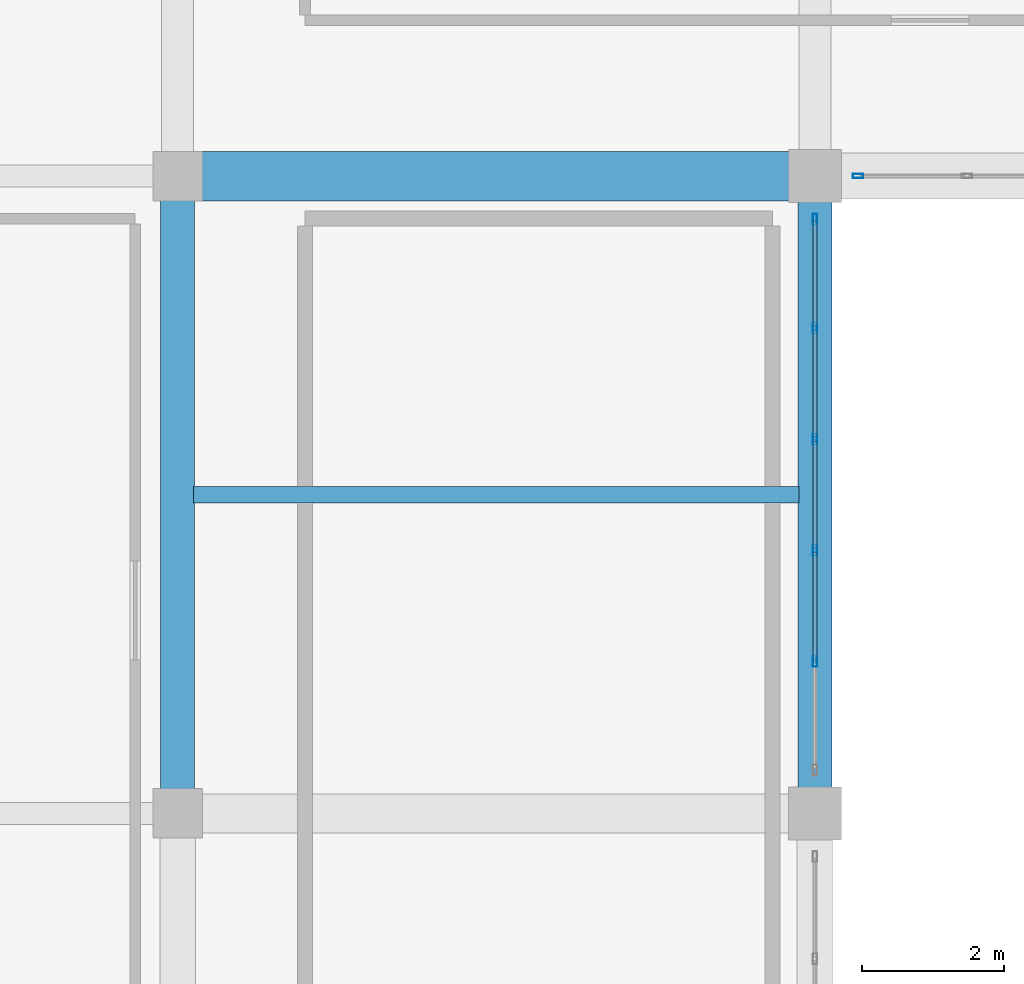
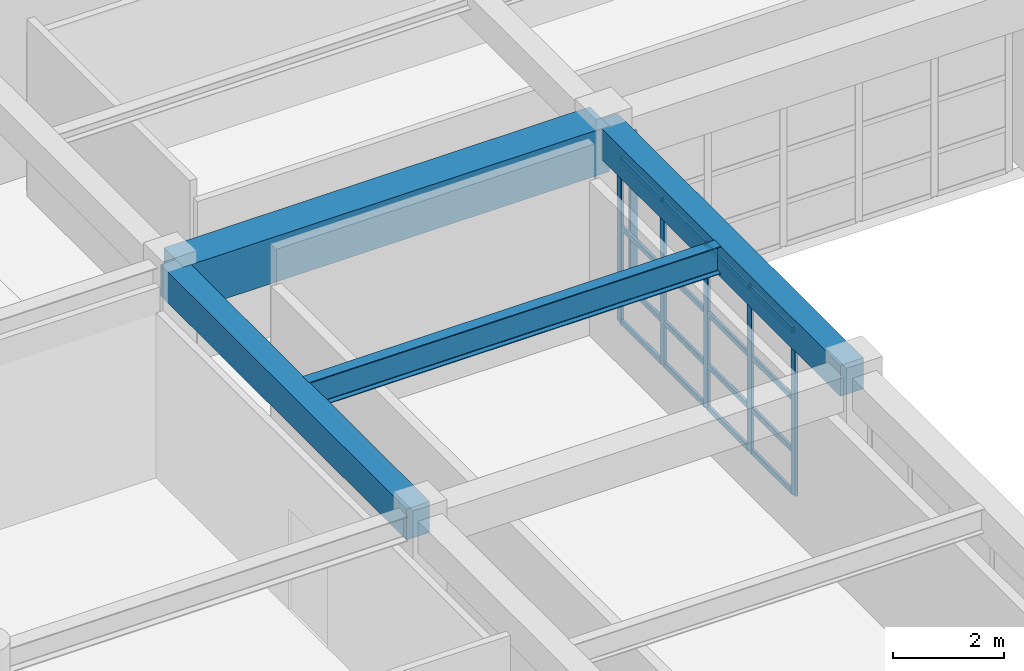
# One storey, part 64 of 133: 22 members, 4 beams, 2 elements without a shape of their own.
"""IFC4 building model written with IfcOpenShell, lengths in metres."""

from ifc_helpers import new_model, si_unit, direction, frame, origin, origin_2d, place, context, subcontext, project, spatial, rectangle, hollow_rectangle, i_section, extrude, material, material_profile, profile_set, type_object, element, aggregate, save


model = new_model("IFC4")

# Units and contexts
model_context = context("Model", 3, precision=1e-05, world=origin(), true_north=direction((0.0, 1.0)))
body_context = subcontext(model_context, "Body", "Model", "MODEL_VIEW")
ifc_project = project(units=[si_unit("LENGTHUNIT", "METRE"), si_unit("AREAUNIT", "SQUARE_METRE"), si_unit("VOLUMEUNIT", "CUBIC_METRE"), si_unit("PLANEANGLEUNIT", "RADIAN"), si_unit("MASSUNIT", "GRAM", prefix="KILO")], contexts=[model_context])

# Site, building, storey
site_placement = place(None, origin())
site = spatial("IfcSite", under=ifc_project, at=site_placement, CompositionType="ELEMENT")
building_placement = place(site_placement, origin())
building = spatial("IfcBuilding", under=site, at=building_placement, Name="Miravela Opera House", CompositionType="ELEMENT")
storey_placement = place(building_placement, frame((0.0, 0.0, 5.10009765625)))
storey = spatial("IfcBuildingStorey", under=building, at=storey_placement, Name="L01", CompositionType="ELEMENT", Elevation=5.10009765625)

# Curtain wall, member
ifc_material_1 = material(Name="Anodised architectural bronze aluminium 6063-T6", Category="aluminium")
curtain_wall_type = type_object("IfcCurtainWallType", Name="ARC-CW-05", PredefinedType="NOTDEFINED", material=ifc_material_1)
curtain_wall_1_placement = place(storey_placement, origin())
curtain_wall_1 = element("IfcCurtainWall", 1, at=curtain_wall_1_placement, inside=storey, type_object=curtain_wall_type, Name="Courtyard Arcade Curtain Wall CW-L01-078", PredefinedType="NOTDEFINED")
ifc_material_profile_1 = material_profile(ifc_material_1, hollow_rectangle(XDim=0.06005859375, YDim=0.14990234375, WallThickness=0.00390625, InnerFilletRadius=0.001953125, OuterFilletRadius=0.00390625, at=origin_2d()), Name="CWM-60X150")
ifc_profile_set_1 = profile_set([ifc_material_profile_1])
member_type_1 = type_object("IfcMemberType", Name="ARC-CWM-150", PredefinedType="MULLION", material=ifc_profile_set_1)
member_1_placement = place(storey_placement, frame((27.610107421875, 103.0, 0.0), z_axis=(0.0, 0.0, 1.0), x_axis=(0.0, 1.0, 0.0)))
member_1 = element("IfcMember", 2, at=member_1_placement, type_object=member_type_1, Name="CW-05 mullion 1", PredefinedType="MULLION", context=body_context, shape_type="SweptSolid", body=[
    extrude(hollow_rectangle(XDim=0.06005859375, YDim=0.14990234375, WallThickness=0.00390625, InnerFilletRadius=0.001953125, OuterFilletRadius=0.00390625, at=origin_2d()), origin(), (0.0, 0.0, 1.0), 3.60986328125),
])
aggregate(curtain_wall_1, [member_1])

# Curtain wall, members
curtain_wall_2_placement = place(storey_placement, origin())
curtain_wall_2 = element("IfcCurtainWall", 3, at=curtain_wall_2_placement, inside=storey, type_object=curtain_wall_type, Name="Courtyard Arcade Curtain Wall CW-L01-086", PredefinedType="NOTDEFINED")
member_2_placement = place(storey_placement, frame((27.0, 96.14794921875, 0.0), z_axis=(0.0, 0.0, 1.0), x_axis=(-1.0, 0.0, 0.0)))
member_2 = element("IfcMember", 4, at=member_2_placement, type_object=member_type_1, Name="CW-05 mullion 2", PredefinedType="MULLION", context=body_context, shape_type="SweptSolid", body=[
    extrude(hollow_rectangle(XDim=0.06005859375, YDim=0.14990234375, WallThickness=0.00390625, InnerFilletRadius=0.001953125, OuterFilletRadius=0.00390625, at=origin_2d()), origin(), (0.0, 0.0, 1.0), 3.60986328125),
])
member_3_placement = place(storey_placement, frame((27.0, 97.716064453125, 0.0), z_axis=(0.0, 0.0, 1.0), x_axis=(-1.0, 0.0, 0.0)))
member_3 = element("IfcMember", 5, at=member_3_placement, type_object=member_type_1, Name="CW-05 mullion 3", PredefinedType="MULLION", context=body_context, shape_type="SweptSolid", body=[
    extrude(hollow_rectangle(XDim=0.06005859375, YDim=0.14990234375, WallThickness=0.00390625, InnerFilletRadius=0.001953125, OuterFilletRadius=0.00390625, at=origin_2d()), origin(), (0.0, 0.0, 1.0), 3.60986328125),
])
member_4_placement = place(storey_placement, frame((27.0, 99.283935546875, 0.0), z_axis=(0.0, 0.0, 1.0), x_axis=(-1.0, 0.0, 0.0)))
member_4 = element("IfcMember", 6, at=member_4_placement, type_object=member_type_1, Name="CW-05 mullion 4", PredefinedType="MULLION", context=body_context, shape_type="SweptSolid", body=[
    extrude(hollow_rectangle(XDim=0.06005859375, YDim=0.14990234375, WallThickness=0.00390625, InnerFilletRadius=0.001953125, OuterFilletRadius=0.00390625, at=origin_2d()), origin(), (0.0, 0.0, 1.0), 3.60986328125),
])
member_5_placement = place(storey_placement, frame((27.0, 100.85205078125, 0.0), z_axis=(0.0, 0.0, 1.0), x_axis=(-1.0, 0.0, 0.0)))
member_5 = element("IfcMember", 7, at=member_5_placement, type_object=member_type_1, Name="CW-05 mullion 5", PredefinedType="MULLION", context=body_context, shape_type="SweptSolid", body=[
    extrude(hollow_rectangle(XDim=0.06005859375, YDim=0.14990234375, WallThickness=0.00390625, InnerFilletRadius=0.001953125, OuterFilletRadius=0.00390625, at=origin_2d()), origin(), (0.0, 0.0, 1.0), 3.60986328125),
])
member_6_placement = place(storey_placement, frame((27.0, 102.389892578125, 0.0), z_axis=(0.0, 0.0, 1.0), x_axis=(-1.0, 0.0, 0.0)))
member_6 = element("IfcMember", 8, at=member_6_placement, type_object=member_type_1, Name="CW-05 mullion 6", PredefinedType="MULLION", context=body_context, shape_type="SweptSolid", body=[
    extrude(hollow_rectangle(XDim=0.06005859375, YDim=0.14990234375, WallThickness=0.00390625, InnerFilletRadius=0.001953125, OuterFilletRadius=0.00390625, at=origin_2d()), origin(), (0.0, 0.0, 1.0), 3.60986328125),
])
ifc_material_profile_2 = material_profile(ifc_material_1, hollow_rectangle(XDim=0.06005859375, YDim=0.114990234375, WallThickness=0.00390625, InnerFilletRadius=0.001953125, OuterFilletRadius=0.00390625, at=origin_2d()), Name="CWT-60X115")
ifc_profile_set_2 = profile_set([ifc_material_profile_2])
member_type_2 = type_object("IfcMemberType", Name="ARC-CWT-115", PredefinedType="USERDEFINED", material=ifc_profile_set_2)
member_7_placement = place(storey_placement, frame((27.0, 96.177978515625, 0.02978515625), z_axis=(0.0, 1.0, 0.0), x_axis=(-1.0, 0.0, 0.0)))
member_7 = element("IfcMember", 9, at=member_7_placement, type_object=member_type_2, Name="CW-05 transom 2.1", ObjectType="TRANSOM", PredefinedType="USERDEFINED", context=body_context, shape_type="SweptSolid", body=[
    extrude(hollow_rectangle(XDim=0.06005859375, YDim=0.114990234375, WallThickness=0.00390625, InnerFilletRadius=0.001953125, OuterFilletRadius=0.00390625, at=origin_2d()), origin(), (0.0, 0.0, 1.0), 1.508056640625),
])
member_8_placement = place(storey_placement, frame((27.0, 96.177978515625, 0.949951171875), z_axis=(0.0, 1.0, 0.0), x_axis=(-1.0, 0.0, 0.0)))
member_8 = element("IfcMember", 10, at=member_8_placement, type_object=member_type_2, Name="CW-05 transom 2.2", ObjectType="TRANSOM", PredefinedType="USERDEFINED", context=body_context, shape_type="SweptSolid", body=[
    extrude(hollow_rectangle(XDim=0.06005859375, YDim=0.114990234375, WallThickness=0.00390625, InnerFilletRadius=0.001953125, OuterFilletRadius=0.00390625, at=origin_2d()), origin(), (0.0, 0.0, 1.0), 1.508056640625),
])
member_9_placement = place(storey_placement, frame((27.0, 96.177978515625, 2.09375), z_axis=(0.0, 1.0, 0.0), x_axis=(-1.0, 0.0, 0.0)))
member_9 = element("IfcMember", 11, at=member_9_placement, type_object=member_type_2, Name="CW-05 transom 2.3", ObjectType="TRANSOM", PredefinedType="USERDEFINED", context=body_context, shape_type="SweptSolid", body=[
    extrude(hollow_rectangle(XDim=0.06005859375, YDim=0.114990234375, WallThickness=0.00390625, InnerFilletRadius=0.001953125, OuterFilletRadius=0.00390625, at=origin_2d()), origin(), (0.0, 0.0, 1.0), 1.508056640625),
])
member_10_placement = place(storey_placement, frame((27.0, 96.177978515625, 3.579833984375), z_axis=(0.0, 1.0, 0.0), x_axis=(-1.0, 0.0, 0.0)))
member_10 = element("IfcMember", 12, at=member_10_placement, type_object=member_type_2, Name="CW-05 transom 2.4", ObjectType="TRANSOM", PredefinedType="USERDEFINED", context=body_context, shape_type="SweptSolid", body=[
    extrude(hollow_rectangle(XDim=0.06005859375, YDim=0.114990234375, WallThickness=0.00390625, InnerFilletRadius=0.001953125, OuterFilletRadius=0.00390625, at=origin_2d()), origin(), (0.0, 0.0, 1.0), 1.508056640625),
])
member_11_placement = place(storey_placement, frame((27.0, 97.74609375, 0.02978515625), z_axis=(0.0, 1.0, 0.0), x_axis=(-1.0, 0.0, 0.0)))
member_11 = element("IfcMember", 13, at=member_11_placement, type_object=member_type_2, Name="CW-05 transom 3.1", ObjectType="TRANSOM", PredefinedType="USERDEFINED", context=body_context, shape_type="SweptSolid", body=[
    extrude(hollow_rectangle(XDim=0.06005859375, YDim=0.114990234375, WallThickness=0.00390625, InnerFilletRadius=0.001953125, OuterFilletRadius=0.00390625, at=origin_2d()), origin(), (0.0, 0.0, 1.0), 1.5078125),
])
member_12_placement = place(storey_placement, frame((27.0, 97.74609375, 0.949951171875), z_axis=(0.0, 1.0, 0.0), x_axis=(-1.0, 0.0, 0.0)))
member_12 = element("IfcMember", 14, at=member_12_placement, type_object=member_type_2, Name="CW-05 transom 3.2", ObjectType="TRANSOM", PredefinedType="USERDEFINED", context=body_context, shape_type="SweptSolid", body=[
    extrude(hollow_rectangle(XDim=0.06005859375, YDim=0.114990234375, WallThickness=0.00390625, InnerFilletRadius=0.001953125, OuterFilletRadius=0.00390625, at=origin_2d()), origin(), (0.0, 0.0, 1.0), 1.5078125),
])
member_13_placement = place(storey_placement, frame((27.0, 97.74609375, 2.09375), z_axis=(0.0, 1.0, 0.0), x_axis=(-1.0, 0.0, 0.0)))
member_13 = element("IfcMember", 15, at=member_13_placement, type_object=member_type_2, Name="CW-05 transom 3.3", ObjectType="TRANSOM", PredefinedType="USERDEFINED", context=body_context, shape_type="SweptSolid", body=[
    extrude(hollow_rectangle(XDim=0.06005859375, YDim=0.114990234375, WallThickness=0.00390625, InnerFilletRadius=0.001953125, OuterFilletRadius=0.00390625, at=origin_2d()), origin(), (0.0, 0.0, 1.0), 1.5078125),
])
member_14_placement = place(storey_placement, frame((27.0, 97.74609375, 3.579833984375), z_axis=(0.0, 1.0, 0.0), x_axis=(-1.0, 0.0, 0.0)))
member_14 = element("IfcMember", 16, at=member_14_placement, type_object=member_type_2, Name="CW-05 transom 3.4", ObjectType="TRANSOM", PredefinedType="USERDEFINED", context=body_context, shape_type="SweptSolid", body=[
    extrude(hollow_rectangle(XDim=0.06005859375, YDim=0.114990234375, WallThickness=0.00390625, InnerFilletRadius=0.001953125, OuterFilletRadius=0.00390625, at=origin_2d()), origin(), (0.0, 0.0, 1.0), 1.5078125),
])
member_15_placement = place(storey_placement, frame((27.0, 99.31396484375, 0.02978515625), z_axis=(0.0, 1.0, 0.0), x_axis=(-1.0, 0.0, 0.0)))
member_15 = element("IfcMember", 17, at=member_15_placement, type_object=member_type_2, Name="CW-05 transom 4.1", ObjectType="TRANSOM", PredefinedType="USERDEFINED", context=body_context, shape_type="SweptSolid", body=[
    extrude(hollow_rectangle(XDim=0.06005859375, YDim=0.114990234375, WallThickness=0.00390625, InnerFilletRadius=0.001953125, OuterFilletRadius=0.00390625, at=origin_2d()), origin(), (0.0, 0.0, 1.0), 1.508056640625),
])
member_16_placement = place(storey_placement, frame((27.0, 99.31396484375, 0.949951171875), z_axis=(0.0, 1.0, 0.0), x_axis=(-1.0, 0.0, 0.0)))
member_16 = element("IfcMember", 18, at=member_16_placement, type_object=member_type_2, Name="CW-05 transom 4.2", ObjectType="TRANSOM", PredefinedType="USERDEFINED", context=body_context, shape_type="SweptSolid", body=[
    extrude(hollow_rectangle(XDim=0.06005859375, YDim=0.114990234375, WallThickness=0.00390625, InnerFilletRadius=0.001953125, OuterFilletRadius=0.00390625, at=origin_2d()), origin(), (0.0, 0.0, 1.0), 1.508056640625),
])
member_17_placement = place(storey_placement, frame((27.0, 99.31396484375, 2.09375), z_axis=(0.0, 1.0, 0.0), x_axis=(-1.0, 0.0, 0.0)))
member_17 = element("IfcMember", 19, at=member_17_placement, type_object=member_type_2, Name="CW-05 transom 4.3", ObjectType="TRANSOM", PredefinedType="USERDEFINED", context=body_context, shape_type="SweptSolid", body=[
    extrude(hollow_rectangle(XDim=0.06005859375, YDim=0.114990234375, WallThickness=0.00390625, InnerFilletRadius=0.001953125, OuterFilletRadius=0.00390625, at=origin_2d()), origin(), (0.0, 0.0, 1.0), 1.508056640625),
])
member_18_placement = place(storey_placement, frame((27.0, 99.31396484375, 3.579833984375), z_axis=(0.0, 1.0, 0.0), x_axis=(-1.0, 0.0, 0.0)))
member_18 = element("IfcMember", 20, at=member_18_placement, type_object=member_type_2, Name="CW-05 transom 4.4", ObjectType="TRANSOM", PredefinedType="USERDEFINED", context=body_context, shape_type="SweptSolid", body=[
    extrude(hollow_rectangle(XDim=0.06005859375, YDim=0.114990234375, WallThickness=0.00390625, InnerFilletRadius=0.001953125, OuterFilletRadius=0.00390625, at=origin_2d()), origin(), (0.0, 0.0, 1.0), 1.508056640625),
])
member_19_placement = place(storey_placement, frame((27.0, 100.882080078125, 0.02978515625), z_axis=(0.0, 1.0, 0.0), x_axis=(-1.0, 0.0, 0.0)))
member_19 = element("IfcMember", 21, at=member_19_placement, type_object=member_type_2, Name="CW-05 transom 5.1", ObjectType="TRANSOM", PredefinedType="USERDEFINED", context=body_context, shape_type="SweptSolid", body=[
    extrude(hollow_rectangle(XDim=0.06005859375, YDim=0.114990234375, WallThickness=0.00390625, InnerFilletRadius=0.001953125, OuterFilletRadius=0.00390625, at=origin_2d()), origin(), (0.0, 0.0, 1.0), 1.47802734375),
])
member_20_placement = place(storey_placement, frame((27.0, 100.882080078125, 0.949951171875), z_axis=(0.0, 1.0, 0.0), x_axis=(-1.0, 0.0, 0.0)))
member_20 = element("IfcMember", 22, at=member_20_placement, type_object=member_type_2, Name="CW-05 transom 5.2", ObjectType="TRANSOM", PredefinedType="USERDEFINED", context=body_context, shape_type="SweptSolid", body=[
    extrude(hollow_rectangle(XDim=0.06005859375, YDim=0.114990234375, WallThickness=0.00390625, InnerFilletRadius=0.001953125, OuterFilletRadius=0.00390625, at=origin_2d()), origin(), (0.0, 0.0, 1.0), 1.47802734375),
])
member_21_placement = place(storey_placement, frame((27.0, 100.882080078125, 2.09375), z_axis=(0.0, 1.0, 0.0), x_axis=(-1.0, 0.0, 0.0)))
member_21 = element("IfcMember", 23, at=member_21_placement, type_object=member_type_2, Name="CW-05 transom 5.3", ObjectType="TRANSOM", PredefinedType="USERDEFINED", context=body_context, shape_type="SweptSolid", body=[
    extrude(hollow_rectangle(XDim=0.06005859375, YDim=0.114990234375, WallThickness=0.00390625, InnerFilletRadius=0.001953125, OuterFilletRadius=0.00390625, at=origin_2d()), origin(), (0.0, 0.0, 1.0), 1.47802734375),
])
member_22_placement = place(storey_placement, frame((27.0, 100.882080078125, 3.579833984375), z_axis=(0.0, 1.0, 0.0), x_axis=(-1.0, 0.0, 0.0)))
member_22 = element("IfcMember", 24, at=member_22_placement, type_object=member_type_2, Name="CW-05 transom 5.4", ObjectType="TRANSOM", PredefinedType="USERDEFINED", context=body_context, shape_type="SweptSolid", body=[
    extrude(hollow_rectangle(XDim=0.06005859375, YDim=0.114990234375, WallThickness=0.00390625, InnerFilletRadius=0.001953125, OuterFilletRadius=0.00390625, at=origin_2d()), origin(), (0.0, 0.0, 1.0), 1.47802734375),
])
aggregate(curtain_wall_2, [member_2, member_3, member_4, member_5, member_6, member_7, member_8, member_9, member_10, member_11, member_12, member_13, member_14, member_15, member_16, member_17, member_18, member_19, member_20, member_21, member_22])

# Beams
ifc_material_2 = material(Name="Concrete C35/45", Category="concrete")
ifc_material_profile_3 = material_profile(ifc_material_2, rectangle(XDim=0.47998046875, YDim=0.679931640625, at=origin_2d()), Name="RC-BM-480X680")
ifc_profile_set_3 = profile_set([ifc_material_profile_3])
beam_type_1 = type_object("IfcBeamType", Name="STR-BM-RC480X680", PredefinedType="BEAM", material=ifc_profile_set_3)
for number, where, z_axis, x_axis, name in (
    (25, (18.0, 94.080078125, 3.81982421875), (0.0, 1.0, 0.0), (-1.0, 0.0, 0.0), "Floor Girder L01 3/K-L"),
    (26, (27.0, 94.080078125, 3.81982421875), (0.0, 1.0, 0.0), (-1.0, 0.0, 0.0), "Floor Girder L01 4/K-L"),
):
    element("IfcBeam", number, at=place(storey_placement, frame(where, z_axis=z_axis, x_axis=x_axis)), inside=storey, type_object=beam_type_1, Name=name, PredefinedType="BEAM", context=body_context, shape_type="SweptSolid", body=[
        extrude(rectangle(XDim=0.47998046875, YDim=0.679931640625, at=origin_2d()), origin(), (0.0, 0.0, 1.0), 8.83984375),
    ])
ifc_material_3 = material(Name="Concrete C40/50", Category="concrete")
ifc_material_profile_4 = material_profile(ifc_material_3, rectangle(XDim=0.699951171875, YDim=1.0, at=origin_2d()), Name="RC-BM-700X1000")
ifc_profile_set_4 = profile_set([ifc_material_profile_4])
beam_type_2 = type_object("IfcBeamType", Name="STR-BM-RC700X1000", PredefinedType="BEAM", material=ifc_profile_set_4)
beam_1_placement = place(storey_placement, frame((18.080078125, 103.0, 3.659912109375), z_axis=(1.0, 0.0, 0.0), x_axis=(0.0, 1.0, 0.0)))
element("IfcBeam", 27, at=beam_1_placement, inside=storey, type_object=beam_type_2, Name="Floor Girder L01 3-4/L", PredefinedType="BEAM", context=body_context, shape_type="SweptSolid", body=[
    extrude(rectangle(XDim=0.699951171875, YDim=1.0, at=origin_2d()), origin(), (0.0, 0.0, 1.0), 8.83984375),
])
ifc_material_4 = material(Name="Structural steel ASTM A992 Gr. 50", Category="steel")
ifc_material_profile_5 = material_profile(ifc_material_4, i_section(OverallWidth=0.22802734375, OverallDepth=0.60791015625, WebThickness=0.01123046875, FlangeThickness=0.017333984375, FilletRadius=0.01611328125, at=origin_2d()), Name="W610X113")
ifc_profile_set_5 = profile_set([ifc_material_profile_5])
beam_type_3 = type_object("IfcBeamType", Name="STR-BM-W610X113", PredefinedType="BEAM", material=ifc_profile_set_5)
beam_2_placement = place(storey_placement, frame((18.22509765625, 98.5, 3.85595703125), z_axis=(1.0, 0.0, 0.0), x_axis=(0.0, 1.0, 0.0)))
element("IfcBeam", 28, at=beam_2_placement, inside=storey, type_object=beam_type_3, Name="Secondary Floor Joist L01 3-4/K-L", PredefinedType="BEAM", context=body_context, shape_type="SweptSolid", body=[
    extrude(i_section(OverallWidth=0.22802734375, OverallDepth=0.60791015625, WebThickness=0.01123046875, FlangeThickness=0.017333984375, FilletRadius=0.01611328125, at=origin_2d()), origin(), (0.0, 0.0, 1.0), 8.5498046875),
])

save(model, "model.ifc")
